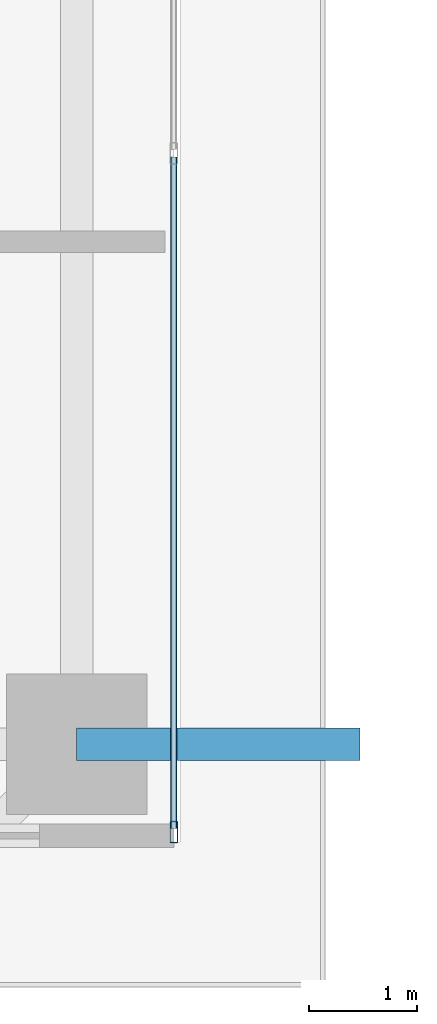
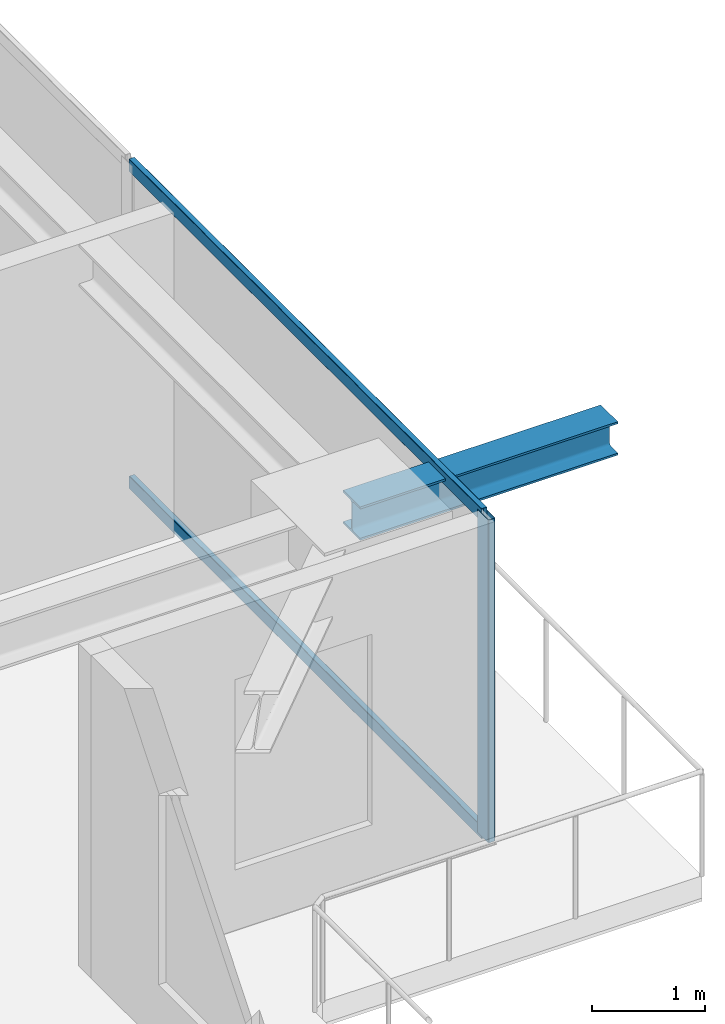
# One storey, part 13 of 34: 3 members, 1 beam, 1 element without a shape of its own.
"""IFC4 building model written with IfcOpenShell, lengths in metres."""

from ifc_helpers import new_model, si_unit, direction, frame, origin, origin_2d, place, context, subcontext, project, spatial, hollow_rectangle, i_section, extrude, source, transform, mapped, material, layer, layer_set, material_profile, profile_set, type_object, element, aggregate, save


model = new_model("IFC4")

# Units and contexts
model_context = context("Model", 3, precision=1e-05, world=origin(), true_north=direction((0.0, 1.0)))
body_context = subcontext(model_context, "Body", "Model", "MODEL_VIEW")
ifc_project = project(units=[si_unit("LENGTHUNIT", "METRE"), si_unit("AREAUNIT", "SQUARE_METRE"), si_unit("VOLUMEUNIT", "CUBIC_METRE"), si_unit("PLANEANGLEUNIT", "RADIAN"), si_unit("MASSUNIT", "GRAM", prefix="KILO")], contexts=[model_context])

# Site, building, storey
site_placement = place(None, origin())
site = spatial("IfcSite", under=ifc_project, at=site_placement, CompositionType="ELEMENT")
building_placement = place(site_placement, origin())
building = spatial("IfcBuilding", under=site, at=building_placement, Name="Serunith Strait Residences", CompositionType="ELEMENT")
storey_placement = place(building_placement, frame((0.0, 0.0, 142.64990234375)))
storey = spatial("IfcBuildingStorey", under=building, at=storey_placement, Name="L35", CompositionType="ELEMENT", Elevation=142.64990234375)

# Beam
ifc_material_1 = material(Name="Steel S355J2", Category="steel")
ifc_material_profile_1 = material_profile(ifc_material_1, i_section(OverallWidth=0.300048828125, OverallDepth=0.360107421875, WebThickness=0.012451171875, FlangeThickness=0.0224609375, FilletRadius=0.027099609375, at=origin_2d()), Name="HEB 360")
ifc_profile_set_1 = profile_set([ifc_material_profile_1], Name="Steel S355J2")
beam_type = type_object("IfcBeamType", Name="BM-HEB360", PredefinedType="BEAM", material=ifc_profile_set_1)
shared_shape_1 = source(origin(), body_context, "Body", "SweptSolid", [
    extrude(i_section(OverallWidth=0.300048828125, OverallDepth=0.360107421875, WebThickness=0.012451171875, FlangeThickness=0.0224609375, FilletRadius=0.027099609375, at=origin_2d()), origin(), (0.0, 0.0, 1.0), 2.62353515625),
])
beam_placement = place(storey_placement, frame((56.10009765625, 10.25, 3.277099609375), z_axis=(1.0, 0.0, 0.0), x_axis=(0.0, 1.0, 0.0)))
element("IfcBeam", 1, at=beam_placement, inside=storey, type_object=beam_type, Name="L36 Cantilevered Balcony Rib TC-E1", PredefinedType="BEAM", context=body_context, shape_type="MappedRepresentation", body=[
    mapped(shared_shape_1, transform((0.0, 0.0, 0.0), scale=1.0)),
])

# Curtain wall, members
ifc_material_2 = material(Name="Pale-Champagne Anodised Aluminium", Category="aluminium")
ifc_layer = layer(ifc_material_2, 0.199951171875, Name="Pale-Champagne Anodised Aluminium")
ifc_layer_set = layer_set([ifc_layer], Name="Pale-Champagne Anodised Aluminium")
curtain_wall_type = type_object("IfcCurtainWallType", Name="CW-SYS2", PredefinedType="NOTDEFINED", material=ifc_layer_set)
curtain_wall_placement = place(storey_placement, origin())
curtain_wall = element("IfcCurtainWall", 2, at=curtain_wall_placement, inside=storey, type_object=curtain_wall_type, Name="L35 E Unitised Fritted Curtain Wall", PredefinedType="NOTDEFINED")
ifc_material_profile_2 = material_profile(ifc_material_2, hollow_rectangle(XDim=0.070068359375, YDim=0.199951171875, WallThickness=0.00390625, InnerFilletRadius=0.006103515625, OuterFilletRadius=0.010009765625, at=origin_2d()), Name="ALU 200x70x4")
ifc_profile_set_2 = profile_set([ifc_material_profile_2], Name="Pale-Champagne Anodised Aluminium")
member_type_1 = type_object("IfcMemberType", Name="CW-SYS2-MULL", PredefinedType="MULLION", material=ifc_profile_set_2)
shared_shape_2 = source(origin(), body_context, "Body", "SweptSolid", [
    extrude(hollow_rectangle(XDim=0.070068359375, YDim=0.199951171875, WallThickness=0.00390625, InnerFilletRadius=0.006103515625, OuterFilletRadius=0.010009765625, at=origin_2d()), origin(), (0.0, 0.0, 1.0), 3.47509765625),
])
member_1_placement = place(storey_placement, frame((57.0, 9.43505859375, 0.0), z_axis=(0.0, 0.0, 1.0), x_axis=(-1.0, 0.0, 0.0)))
member_1 = element("IfcMember", 3, at=member_1_placement, type_object=member_type_1, Name="CW-2 mullion 1", PredefinedType="MULLION", context=body_context, shape_type="MappedRepresentation", body=[
    mapped(shared_shape_2, transform((0.0, 0.0, 0.0), scale=1.0)),
])
ifc_material_profile_3 = material_profile(ifc_material_2, hollow_rectangle(XDim=0.06005859375, YDim=0.139892578125, WallThickness=0.00341796875, InnerFilletRadius=0.00537109375, OuterFilletRadius=0.0087890625, at=origin_2d()), Name="ALU 140x60x3.5")
ifc_profile_set_3 = profile_set([ifc_material_profile_3], Name="Pale-Champagne Anodised Aluminium")
member_type_2 = type_object("IfcMemberType", Name="CW-SYS2-TRAN", PredefinedType="USERDEFINED", material=ifc_profile_set_3)
shared_shape_3 = source(origin(), body_context, "Body", "SweptSolid", [
    extrude(hollow_rectangle(XDim=0.06005859375, YDim=0.139892578125, WallThickness=0.00341796875, InnerFilletRadius=0.00537109375, OuterFilletRadius=0.0087890625, at=origin_2d()), origin(), (0.0, 0.0, 1.0), 6.215087890625),
])
member_2_placement = place(storey_placement, frame((57.0, 9.469970703125, 0.030029296875), z_axis=(0.0, 1.0, 0.0), x_axis=(-1.0, 0.0, 0.0)))
member_2 = element("IfcMember", 4, at=member_2_placement, type_object=member_type_2, Name="CW-2 transom 1.1", ObjectType="TRANSOM", PredefinedType="USERDEFINED", context=body_context, shape_type="MappedRepresentation", body=[
    mapped(shared_shape_3, transform((0.0, 0.0, 0.0), scale=1.0)),
])
member_3_placement = place(storey_placement, frame((57.0, 9.469970703125, 3.445068359375), z_axis=(0.0, 1.0, 0.0), x_axis=(-1.0, 0.0, 0.0)))
member_3 = element("IfcMember", 5, at=member_3_placement, type_object=member_type_2, Name="CW-2 transom 1.2", ObjectType="TRANSOM", PredefinedType="USERDEFINED", context=body_context, shape_type="MappedRepresentation", body=[
    mapped(shared_shape_3, transform((0.0, 0.0, 0.0), scale=1.0)),
])
aggregate(curtain_wall, [member_1, member_2, member_3])

save(model, "model.ifc")
